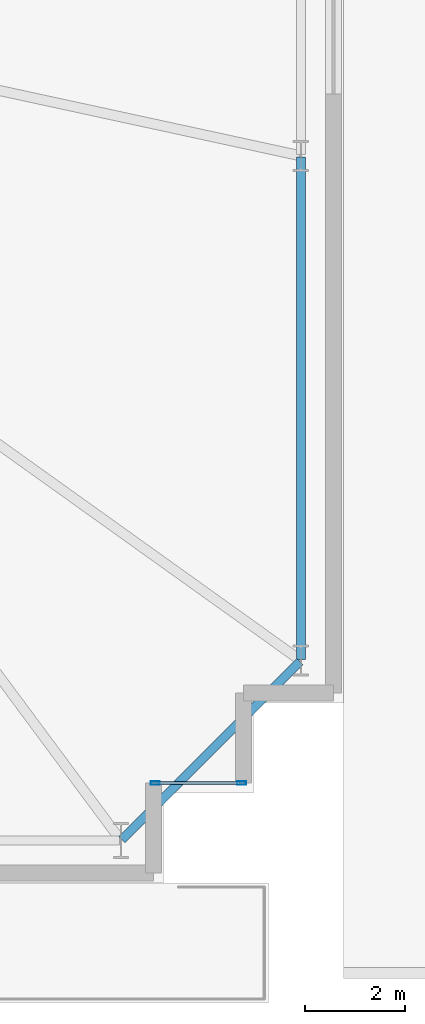
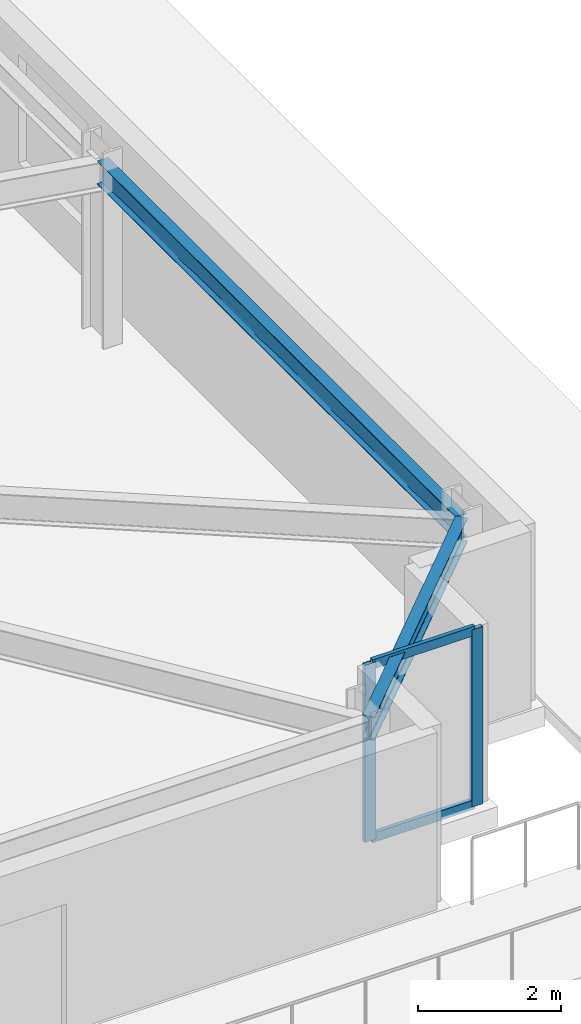
# One storey, part 8 of 21: 4 members, 2 beams, 1 element without a shape of its own.
"""IFC4 building model written with IfcOpenShell, lengths in metres."""

from ifc_helpers import new_model, si_unit, direction, frame, origin, origin_2d, place, context, subcontext, project, spatial, hollow_rectangle, i_section, extrude, material, layer, layer_set, material_profile, profile_set, type_object, element, aggregate, save


model = new_model("IFC4")

# Units and contexts
model_context = context("Model", 3, precision=1e-05, world=origin(), true_north=direction((0.0, 1.0)))
body_context = subcontext(model_context, "Body", "Model", "MODEL_VIEW")
ifc_project = project(units=[si_unit("LENGTHUNIT", "METRE"), si_unit("AREAUNIT", "SQUARE_METRE"), si_unit("VOLUMEUNIT", "CUBIC_METRE"), si_unit("PLANEANGLEUNIT", "RADIAN"), si_unit("MASSUNIT", "GRAM", prefix="KILO")], contexts=[model_context])

# Site, building, storey
site_placement = place(None, origin())
site = spatial("IfcSite", under=ifc_project, at=site_placement, CompositionType="ELEMENT")
building_placement = place(site_placement, origin())
building = spatial("IfcBuilding", under=site, at=building_placement, Name="Qobustan Lattice House", CompositionType="ELEMENT")
storey_placement = place(building_placement, frame((0.0, 0.0, 27.0)))
storey = spatial("IfcBuildingStorey", under=building, at=storey_placement, Name="L06", CompositionType="ELEMENT", Elevation=27.0)

# Beams
ifc_material_1 = material(Name="Steel S355", Category="steel")
ifc_material_profile_1 = material_profile(ifc_material_1, i_section(OverallWidth=0.179931640625, OverallDepth=0.39990234375, WebThickness=0.008544921875, FlangeThickness=0.013427734375, FilletRadius=0.02099609375, at=origin_2d()), Name="IPE400")
ifc_profile_set_1 = profile_set([ifc_material_profile_1], Name="Steel S355")
beam_type = type_object("IfcBeamType", Name="BM-SPD-IPE400", PredefinedType="SPANDREL", material=ifc_profile_set_1)
beam_1_placement = place(storey_placement, frame((28.567626953125, -18.732421875, 2.8349609375), z_axis=(0.707106781187, 0.707106781187, 0.0), x_axis=(-0.707106781187, 0.707106781187, 0.0)))
element("IfcBeam", 1, at=beam_1_placement, inside=storey, type_object=beam_type, Name="L06 perimeter spandrel S7-E1", PredefinedType="SPANDREL", context=body_context, shape_type="SweptSolid", body=[
    extrude(i_section(OverallWidth=0.179931640625, OverallDepth=0.39990234375, WebThickness=0.008544921875, FlangeThickness=0.013427734375, FilletRadius=0.02099609375, at=origin_2d()), origin(), (0.0, 0.0, 1.0), 5.041259765625),
])
beam_2_placement = place(storey_placement, frame((32.14990234375, -15.125, 2.8349609375), z_axis=(0.0, 1.0, 0.0), x_axis=(-1.0, 0.0, 0.0)))
element("IfcBeam", 2, at=beam_2_placement, inside=storey, type_object=beam_type, Name="L06 perimeter spandrel E1-E2", PredefinedType="SPANDREL", context=body_context, shape_type="SweptSolid", body=[
    extrude(i_section(OverallWidth=0.179931640625, OverallDepth=0.39990234375, WebThickness=0.008544921875, FlangeThickness=0.013427734375, FilletRadius=0.02099609375, at=origin_2d()), origin(), (0.0, 0.0, 1.0), 10.050048828125),
])

# Curtain wall, members
ifc_material_2 = material(Name="Anodised aluminium and low-E glazing", Category="aluminium")
ifc_layer = layer(ifc_material_2, 0.219970703125)
ifc_layer_set = layer_set([ifc_layer], Name="Anodised aluminium and low-E glazing")
curtain_wall_type = type_object("IfcCurtainWallType", Name="CW-FAC-01", PredefinedType="USERDEFINED", material=ifc_layer_set)
curtain_wall_placement = place(storey_placement, origin())
curtain_wall = element("IfcCurtainWall", 3, at=curtain_wall_placement, inside=storey, type_object=curtain_wall_type, Name="L06 serrated corner faceted glazing 18", ObjectType="CURTAIN WALL", PredefinedType="USERDEFINED")
ifc_material_3 = material(Name="Anodised aluminium EN AW-6063 T6", Category="aluminium")
ifc_material_profile_2 = material_profile(ifc_material_3, hollow_rectangle(XDim=0.070068359375, YDim=0.179931640625, WallThickness=0.00439453125, at=origin_2d()), Name="CWM-180x70")
ifc_profile_set_2 = profile_set([ifc_material_profile_2], Name="Anodised aluminium EN AW-6063 T6")
member_type_1 = type_object("IfcMemberType", Name="CWM-STD-180", PredefinedType="MULLION", material=ifc_profile_set_2)
member_1_placement = place(storey_placement, frame((30.965087890625, -17.60009765625, 0.0), z_axis=(0.0, 0.0, 1.0), x_axis=(0.0, -1.0, 0.0)))
member_1 = element("IfcMember", 4, at=member_1_placement, type_object=member_type_1, Name="CW-F1 mullion 1", PredefinedType="MULLION", context=body_context, shape_type="SweptSolid", body=[
    extrude(hollow_rectangle(XDim=0.070068359375, YDim=0.179931640625, WallThickness=0.00439453125, at=origin_2d()), origin(), (0.0, 0.0, 1.0), 3.034912109375),
])
member_2_placement = place(storey_placement, frame((29.235107421875, -17.60009765625, 0.0), z_axis=(0.0, 0.0, 1.0), x_axis=(0.0, -1.0, 0.0)))
member_2 = element("IfcMember", 5, at=member_2_placement, type_object=member_type_1, Name="CW-F1 mullion 2", PredefinedType="MULLION", context=body_context, shape_type="SweptSolid", body=[
    extrude(hollow_rectangle(XDim=0.070068359375, YDim=0.179931640625, WallThickness=0.00439453125, at=origin_2d()), origin(), (0.0, 0.0, 1.0), 3.034912109375),
])
ifc_material_4 = material(Name="Anodised aluminium EN AW-6063 T6", Category="aluminium")
ifc_material_profile_3 = material_profile(ifc_material_4, hollow_rectangle(XDim=0.06494140625, YDim=0.159912109375, WallThickness=0.00390625, at=origin_2d()), Name="CWT-160x65")
ifc_profile_set_3 = profile_set([ifc_material_profile_3], Name="Anodised aluminium EN AW-6063 T6")
member_type_2 = type_object("IfcMemberType", Name="CWT-HOR-160", PredefinedType="USERDEFINED", material=ifc_profile_set_3)
member_3_placement = place(storey_placement, frame((30.929931640625, -17.60009765625, 0.032470703125), z_axis=(-1.0, 0.0, 0.0), x_axis=(0.0, -1.0, 0.0)))
member_3 = element("IfcMember", 6, at=member_3_placement, type_object=member_type_2, Name="CW-F1 transom 1.1", ObjectType="TRANSOM", PredefinedType="USERDEFINED", context=body_context, shape_type="SweptSolid", body=[
    extrude(hollow_rectangle(XDim=0.06494140625, YDim=0.159912109375, WallThickness=0.00390625, at=origin_2d()), origin(), (0.0, 0.0, 1.0), 1.659912109375),
])
member_4_placement = place(storey_placement, frame((30.929931640625, -17.60009765625, 3.00244140625), z_axis=(-1.0, 0.0, 0.0), x_axis=(0.0, -1.0, 0.0)))
member_4 = element("IfcMember", 7, at=member_4_placement, type_object=member_type_2, Name="CW-F1 transom 1.2", ObjectType="TRANSOM", PredefinedType="USERDEFINED", context=body_context, shape_type="SweptSolid", body=[
    extrude(hollow_rectangle(XDim=0.06494140625, YDim=0.159912109375, WallThickness=0.00390625, at=origin_2d()), origin(), (0.0, 0.0, 1.0), 1.659912109375),
])
aggregate(curtain_wall, [member_1, member_2, member_3, member_4])

save(model, "model.ifc")
